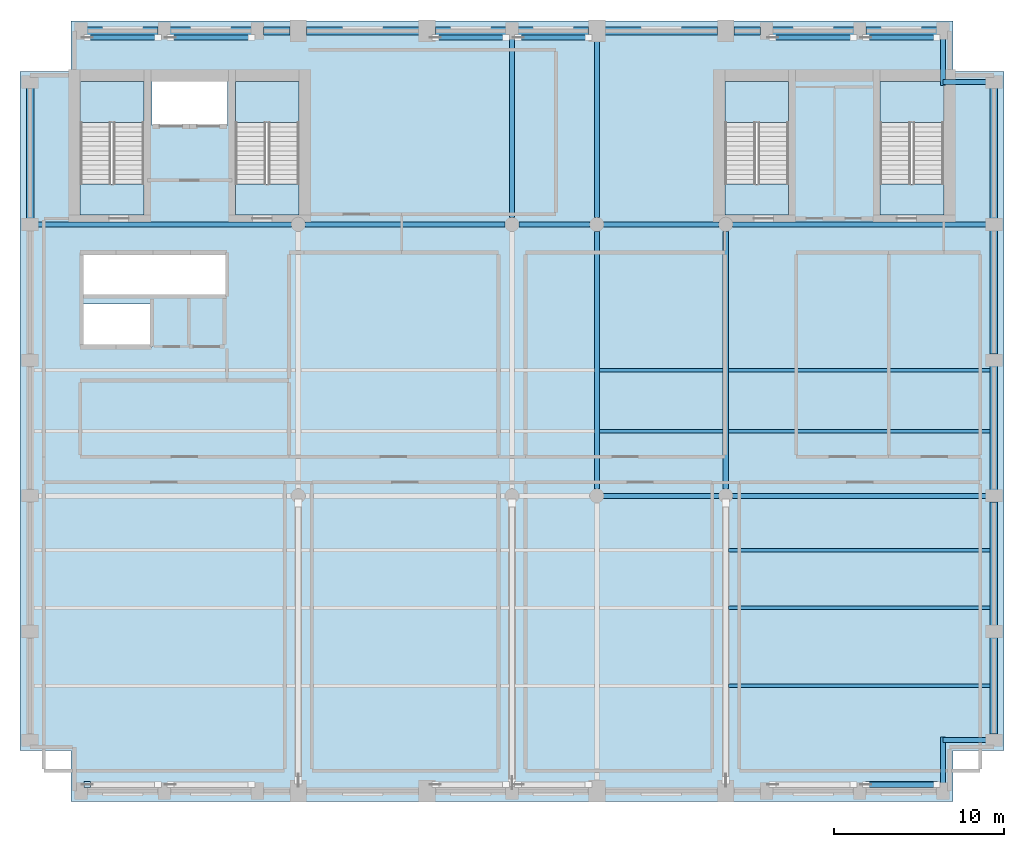
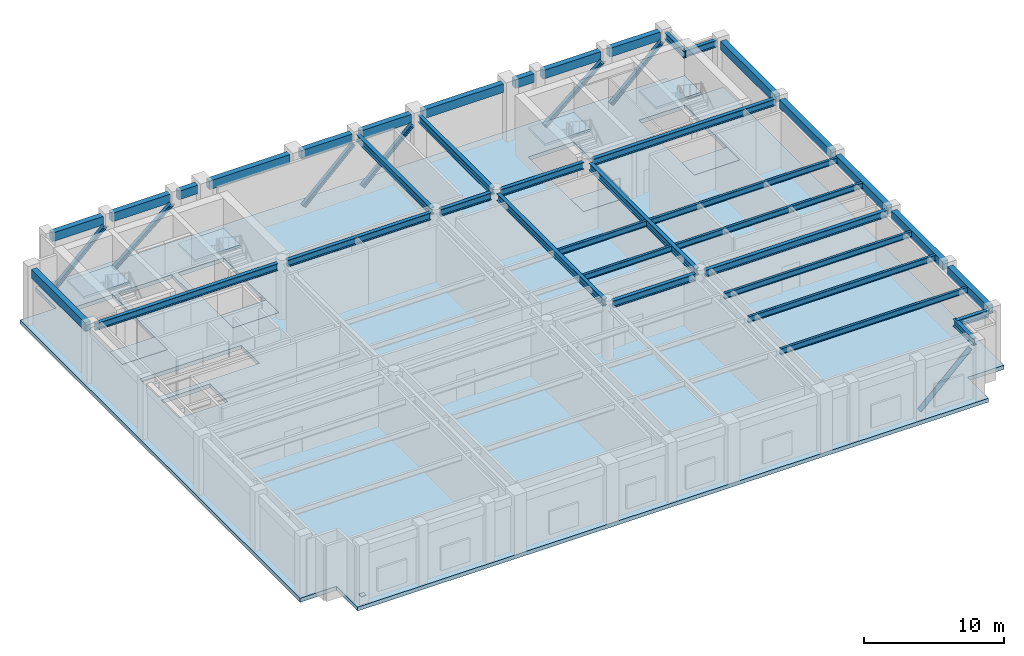
# One storey, part 2 of 11: 38 beams, 9 slabs, 7 members, 1 plate, 4 elements without a shape of their own.
"""IFC4 building model written with IfcOpenShell, lengths in metres."""

from ifc_helpers import new_model, si_unit, direction, frame, origin, origin_2d, place, context, subcontext, project, spatial, polyline, rectangle, hollow_circle, i_section, outline, extrude, material, layer, layer_set, material_profile, profile_set, type_object, element, aggregate, save


model = new_model("IFC4")

# Units and contexts
model_context = context("Model", 3, precision=1e-05, world=origin(), true_north=direction((0.0, 1.0)))
body_context = subcontext(model_context, "Body", "Model", "MODEL_VIEW")
ifc_project = project(units=[si_unit("LENGTHUNIT", "METRE"), si_unit("AREAUNIT", "SQUARE_METRE"), si_unit("VOLUMEUNIT", "CUBIC_METRE"), si_unit("PLANEANGLEUNIT", "RADIAN"), si_unit("MASSUNIT", "GRAM", prefix="KILO")], contexts=[model_context])

# Site, building, storey
site_placement = place(None, origin())
site = spatial("IfcSite", under=ifc_project, at=site_placement, CompositionType="ELEMENT")
building_placement = place(site_placement, origin())
building = spatial("IfcBuilding", under=site, at=building_placement, Name="Sulina Concourse Tower", CompositionType="ELEMENT")
storey_placement = place(building_placement, frame((0.0, 0.0, 238.60009765625)))
storey = spatial("IfcBuildingStorey", under=building, at=storey_placement, Name="L58", CompositionType="ELEMENT", Elevation=238.60009765625)

# Member
ifc_material_1 = material(Name="Steel S355", Category="steel")
ifc_material_profile_1 = material_profile(ifc_material_1, hollow_circle(Radius=0.177734375, WallThickness=0.01416015625, at=origin_2d()), Name="CHS 355.6x14.2")
ifc_profile_set_1 = profile_set([ifc_material_profile_1], Name="Steel S355")
member_type_1 = type_object("IfcMemberType", Name="Belt Truss Diagonal Brace CHS355.6x14.2", PredefinedType="BRACE", material=ifc_profile_set_1)
member_1_placement = place(storey_placement, frame((49.864990234375, 0.97998046875, 0.14990234375), z_axis=(0.724257921482, 0.0, 0.689529160493), x_axis=(0.0, 1.0, 0.0)))
element("IfcMember", 1, at=member_1_placement, inside=storey, type_object=member_type_1, Name="BLT-S6-L58", PredefinedType="BRACE", context=body_context, shape_type="SweptSolid", body=[
    extrude(hollow_circle(Radius=0.177734375, WallThickness=0.01416015625, at=origin_2d()), origin(), (0.0, 0.0, 1.0), 5.757568359375),
])

# Beams
ifc_material_2 = material(Name="Steel S355", Category="steel")
ifc_material_profile_2 = material_profile(ifc_material_2, i_section(OverallWidth=0.199951171875, OverallDepth=0.5, WebThickness=0.01025390625, FlangeThickness=0.01611328125, at=origin_2d()), Name="IPE 500")
ifc_profile_set_2 = profile_set([ifc_material_profile_2], Name="Steel S355")
beam_type_1 = type_object("IfcBeamType", Name="Composite Floor Joist IPE500", PredefinedType="JOIST", material=ifc_profile_set_2)
for number, where, z_axis, x_axis, name in (
    (2, (41.75, 6.800048828125, 4.60986328125), (1.0, 0.0, 0.0), (0.0, 1.0, 0.0), "FJ-J06-5-L58"),
    (3, (41.75, 11.39990234375, 4.60986328125), (1.0, 0.0, 0.0), (0.0, 1.0, 0.0), "FJ-J11-5-L58"),
    (4, (41.75, 14.800048828125, 4.60986328125), (1.0, 0.0, 0.0), (0.0, 1.0, 0.0), "FJ-J15-5-L58"),
):
    element("IfcBeam", number, at=place(storey_placement, frame(where, z_axis=z_axis, x_axis=x_axis)), inside=storey, type_object=beam_type_1, Name=name, PredefinedType="JOIST", context=body_context, shape_type="SweptSolid", body=[
        extrude(i_section(OverallWidth=0.199951171875, OverallDepth=0.5, WebThickness=0.01025390625, FlangeThickness=0.01611328125, at=origin_2d()), origin(), (0.0, 0.0, 1.0), 15.425048828125),
    ])
beam_1_placement = place(storey_placement, frame((34.14990234375, 21.800048828125, 4.60986328125), z_axis=(1.0, 0.0, 0.0), x_axis=(0.0, 1.0, 0.0)))
element("IfcBeam", 5, at=beam_1_placement, inside=storey, type_object=beam_type_1, Name="FJ-J22-4-L58", PredefinedType="JOIST", context=body_context, shape_type="SweptSolid", body=[
    extrude(i_section(OverallWidth=0.199951171875, OverallDepth=0.5, WebThickness=0.01025390625, FlangeThickness=0.01611328125, at=origin_2d()), origin(), (0.0, 0.0, 1.0), 7.300048828125),
])
beam_2_placement = place(storey_placement, frame((41.75, 21.800048828125, 4.60986328125), z_axis=(1.0, 0.0, 0.0), x_axis=(0.0, 1.0, 0.0)))
element("IfcBeam", 6, at=beam_2_placement, inside=storey, type_object=beam_type_1, Name="FJ-J22-5-L58", PredefinedType="JOIST", context=body_context, shape_type="SweptSolid", body=[
    extrude(i_section(OverallWidth=0.199951171875, OverallDepth=0.5, WebThickness=0.01025390625, FlangeThickness=0.01611328125, at=origin_2d()), origin(), (0.0, 0.0, 1.0), 15.425048828125),
])
beam_3_placement = place(storey_placement, frame((34.14990234375, 25.39990234375, 4.60986328125), z_axis=(1.0, 0.0, 0.0), x_axis=(0.0, 1.0, 0.0)))
element("IfcBeam", 7, at=beam_3_placement, inside=storey, type_object=beam_type_1, Name="FJ-J25-4-L58", PredefinedType="JOIST", context=body_context, shape_type="SweptSolid", body=[
    extrude(i_section(OverallWidth=0.199951171875, OverallDepth=0.5, WebThickness=0.01025390625, FlangeThickness=0.01611328125, at=origin_2d()), origin(), (0.0, 0.0, 1.0), 7.300048828125),
])
beam_4_placement = place(storey_placement, frame((41.75, 25.39990234375, 4.60986328125), z_axis=(1.0, 0.0, 0.0), x_axis=(0.0, 1.0, 0.0)))
element("IfcBeam", 8, at=beam_4_placement, inside=storey, type_object=beam_type_1, Name="FJ-J25-5-L58", PredefinedType="JOIST", context=body_context, shape_type="SweptSolid", body=[
    extrude(i_section(OverallWidth=0.199951171875, OverallDepth=0.5, WebThickness=0.01025390625, FlangeThickness=0.01611328125, at=origin_2d()), origin(), (0.0, 0.0, 1.0), 15.425048828125),
])
ifc_material_3 = material(Name="Steel S355", Category="steel")
ifc_material_profile_3 = material_profile(ifc_material_3, i_section(OverallWidth=0.300048828125, OverallDepth=0.60009765625, WebThickness=0.015380859375, FlangeThickness=0.030029296875, at=origin_2d()), Name="HE 600 B")
ifc_profile_set_3 = profile_set([ifc_material_profile_3], Name="Steel S355")
beam_type_2 = type_object("IfcBeamType", Name="Floor Primary Girder Zone 3 HE600B", PredefinedType="BEAM", material=ifc_profile_set_3)
for number, where, z_axis, x_axis, name in (
    (9, (54.39990234375, 3.60009765625, 4.559814453125), (1.0, 0.0, 0.0), (0.0, 1.0, 0.0), "TIE-SE-L58"),
    (10, (54.39990234375, 42.39990234375, 4.559814453125), (1.0, 0.0, 0.0), (0.0, 1.0, 0.0), "TIE-NE-L58"),
):
    element("IfcBeam", number, at=place(storey_placement, frame(where, z_axis=z_axis, x_axis=x_axis)), inside=storey, type_object=beam_type_2, Name=name, PredefinedType="BEAM", context=body_context, shape_type="SweptSolid", body=[
        extrude(i_section(OverallWidth=0.300048828125, OverallDepth=0.60009765625, WebThickness=0.015380859375, FlangeThickness=0.030029296875, at=origin_2d()), origin(), (0.0, 0.0, 1.0), 2.64501953125),
    ])
for number, where, z_axis, x_axis, name in (
    (11, (54.39990234375, 0.955078125, 4.559814453125), (0.0, 1.0, 0.0), (-1.0, 0.0, 0.0), "TIE-SES-L58"),
    (12, (54.39990234375, 42.199951171875, 4.559814453125), (0.0, 1.0, 0.0), (-1.0, 0.0, 0.0), "TIE-NEN-L58"),
):
    element("IfcBeam", number, at=place(storey_placement, frame(where, z_axis=z_axis, x_axis=x_axis)), inside=storey, type_object=beam_type_2, Name=name, PredefinedType="BEAM", context=body_context, shape_type="SweptSolid", body=[
        extrude(i_section(OverallWidth=0.300048828125, OverallDepth=0.60009765625, WebThickness=0.015380859375, FlangeThickness=0.030029296875, at=origin_2d()), origin(), (0.0, 0.0, 1.0), 2.844970703125),
    ])
beam_5_placement = place(storey_placement, frame((34.405029296875, 18.0, 4.559814453125), z_axis=(1.0, 0.0, 0.0), x_axis=(0.0, 1.0, 0.0)))
element("IfcBeam", 13, at=beam_5_placement, inside=storey, type_object=beam_type_2, Name="FG-EW4-L58", PredefinedType="BEAM", context=body_context, shape_type="SweptSolid", body=[
    extrude(i_section(OverallWidth=0.300048828125, OverallDepth=0.60009765625, WebThickness=0.015380859375, FlangeThickness=0.030029296875, at=origin_2d()), origin(), (0.0, 0.0, 1.0), 6.7900390625),
])
for number, where, z_axis, x_axis, name in (
    (14, (42.0048828125, 18.0, 4.559814453125), (1.0, 0.0, 0.0), (0.0, 1.0, 0.0), "FG-EW5-L58"),
    (15, (0.955078125, 34.0, 4.559814453125), (1.0, 0.0, 0.0), (0.0, 1.0, 0.0), "FG-EWN1-L58"),
):
    element("IfcBeam", number, at=place(storey_placement, frame(where, z_axis=z_axis, x_axis=x_axis)), inside=storey, type_object=beam_type_2, Name=name, PredefinedType="BEAM", context=body_context, shape_type="SweptSolid", body=[
        extrude(i_section(OverallWidth=0.300048828125, OverallDepth=0.60009765625, WebThickness=0.015380859375, FlangeThickness=0.030029296875, at=origin_2d()), origin(), (0.0, 0.0, 1.0), 15.0400390625),
    ])
beam_6_placement = place(storey_placement, frame((16.804931640625, 34.0, 4.559814453125), z_axis=(1.0, 0.0, 0.0), x_axis=(0.0, 1.0, 0.0)))
element("IfcBeam", 16, at=beam_6_placement, inside=storey, type_object=beam_type_2, Name="FG-EWN2-L58", PredefinedType="BEAM", context=body_context, shape_type="SweptSolid", body=[
    extrude(i_section(OverallWidth=0.300048828125, OverallDepth=0.60009765625, WebThickness=0.015380859375, FlangeThickness=0.030029296875, at=origin_2d()), origin(), (0.0, 0.0, 1.0), 11.7900390625),
])
beam_7_placement = place(storey_placement, frame((29.405029296875, 34.0, 4.559814453125), z_axis=(1.0, 0.0, 0.0), x_axis=(0.0, 1.0, 0.0)))
element("IfcBeam", 17, at=beam_7_placement, inside=storey, type_object=beam_type_2, Name="FG-EWN3-L58", PredefinedType="BEAM", context=body_context, shape_type="SweptSolid", body=[
    extrude(i_section(OverallWidth=0.300048828125, OverallDepth=0.60009765625, WebThickness=0.015380859375, FlangeThickness=0.030029296875, at=origin_2d()), origin(), (0.0, 0.0, 1.0), 4.18994140625),
])
beam_8_placement = place(storey_placement, frame((34.405029296875, 34.0, 4.559814453125), z_axis=(1.0, 0.0, 0.0), x_axis=(0.0, 1.0, 0.0)))
element("IfcBeam", 18, at=beam_8_placement, inside=storey, type_object=beam_type_2, Name="FG-EWN4-L58", PredefinedType="BEAM", context=body_context, shape_type="SweptSolid", body=[
    extrude(i_section(OverallWidth=0.300048828125, OverallDepth=0.60009765625, WebThickness=0.015380859375, FlangeThickness=0.030029296875, at=origin_2d()), origin(), (0.0, 0.0, 1.0), 6.7900390625),
])
beam_9_placement = place(storey_placement, frame((42.0048828125, 34.0, 4.559814453125), z_axis=(1.0, 0.0, 0.0), x_axis=(0.0, 1.0, 0.0)))
element("IfcBeam", 19, at=beam_9_placement, inside=storey, type_object=beam_type_2, Name="FG-EWN5-L58", PredefinedType="BEAM", context=body_context, shape_type="SweptSolid", body=[
    extrude(i_section(OverallWidth=0.300048828125, OverallDepth=0.60009765625, WebThickness=0.015380859375, FlangeThickness=0.030029296875, at=origin_2d()), origin(), (0.0, 0.0, 1.0), 15.0400390625),
])
beam_10_placement = place(storey_placement, frame((29.0, 34.405029296875, 4.559814453125), z_axis=(0.0, 1.0, 0.0), x_axis=(-1.0, 0.0, 0.0)))
element("IfcBeam", 20, at=beam_10_placement, inside=storey, type_object=beam_type_2, Name="FG-NSC-29-L58", PredefinedType="BEAM", context=body_context, shape_type="SweptSolid", body=[
    extrude(i_section(OverallWidth=0.300048828125, OverallDepth=0.60009765625, WebThickness=0.015380859375, FlangeThickness=0.030029296875, at=origin_2d()), origin(), (0.0, 0.0, 1.0), 10.639892578125),
])
beam_11_placement = place(storey_placement, frame((34.0, 18.405029296875, 4.559814453125), z_axis=(0.0, 1.0, 0.0), x_axis=(-1.0, 0.0, 0.0)))
element("IfcBeam", 21, at=beam_11_placement, inside=storey, type_object=beam_type_2, Name="FG-NSB-34-L58", PredefinedType="BEAM", context=body_context, shape_type="SweptSolid", body=[
    extrude(i_section(OverallWidth=0.300048828125, OverallDepth=0.60009765625, WebThickness=0.015380859375, FlangeThickness=0.030029296875, at=origin_2d()), origin(), (0.0, 0.0, 1.0), 15.18994140625),
])
beam_12_placement = place(storey_placement, frame((34.0, 34.405029296875, 4.559814453125), z_axis=(0.0, 1.0, 0.0), x_axis=(-1.0, 0.0, 0.0)))
element("IfcBeam", 22, at=beam_12_placement, inside=storey, type_object=beam_type_2, Name="FG-NSC-34-L58", PredefinedType="BEAM", context=body_context, shape_type="SweptSolid", body=[
    extrude(i_section(OverallWidth=0.300048828125, OverallDepth=0.60009765625, WebThickness=0.015380859375, FlangeThickness=0.030029296875, at=origin_2d()), origin(), (0.0, 0.0, 1.0), 10.514892578125),
])
beam_13_placement = place(storey_placement, frame((41.60009765625, 18.405029296875, 4.559814453125), z_axis=(0.0, 1.0, 0.0), x_axis=(-1.0, 0.0, 0.0)))
element("IfcBeam", 23, at=beam_13_placement, inside=storey, type_object=beam_type_2, Name="FG-NSB-41-L58", PredefinedType="BEAM", context=body_context, shape_type="SweptSolid", body=[
    extrude(i_section(OverallWidth=0.300048828125, OverallDepth=0.60009765625, WebThickness=0.015380859375, FlangeThickness=0.030029296875, at=origin_2d()), origin(), (0.0, 0.0, 1.0), 15.18994140625),
])

# Members
ifc_material_4 = material(Name="Steel S355", Category="steel")
ifc_material_profile_4 = material_profile(ifc_material_4, i_section(OverallWidth=0.300048828125, OverallDepth=0.320068359375, WebThickness=0.011474609375, FlangeThickness=0.0205078125, at=origin_2d()), Name="HE 320 B")
ifc_profile_set_4 = profile_set([ifc_material_profile_4], Name="Steel S355")
member_type_2 = type_object("IfcMemberType", Name="Plant Belt Brace HE320B", PredefinedType="BRACE", material=ifc_profile_set_4)
member_2_placement = place(storey_placement, frame((3.965087890625, 45.02001953125, 0.14990234375), z_axis=(0.724257921482, 0.0, 0.689529160493), x_axis=(0.0, 1.0, 0.0)))
element("IfcMember", 24, at=member_2_placement, inside=storey, type_object=member_type_2, Name="BLT-N1-L58", PredefinedType="BRACE", context=body_context, shape_type="SweptSolid", body=[
    extrude(i_section(OverallWidth=0.300048828125, OverallDepth=0.320068359375, WebThickness=0.011474609375, FlangeThickness=0.0205078125, at=origin_2d()), origin(), (0.0, 0.0, 1.0), 5.757568359375),
])
member_3_placement = place(storey_placement, frame((8.864990234375, 45.02001953125, 0.14990234375), z_axis=(0.768620976884, 0.0, 0.639704458241), x_axis=(0.0, 1.0, 0.0)))
element("IfcMember", 25, at=member_3_placement, inside=storey, type_object=member_type_2, Name="BLT-N2-L58", PredefinedType="BRACE", context=body_context, shape_type="SweptSolid", body=[
    extrude(i_section(OverallWidth=0.300048828125, OverallDepth=0.320068359375, WebThickness=0.011474609375, FlangeThickness=0.0205078125, at=origin_2d()), origin(), (0.0, 0.0, 1.0), 6.2060546875),
])
for number, where, z_axis, x_axis, name in (
    (26, (24.489990234375, 45.02001953125, 0.14990234375), (0.722191812128, 0.0, 0.691692841148), (0.0, 1.0, 0.0), "BLT-N3-L58"),
    (27, (29.364990234375, 45.02001953125, 0.14990234375), (0.722191812128, 0.0, 0.691692841148), (0.0, 1.0, 0.0), "BLT-N4-L58"),
):
    element("IfcMember", number, at=place(storey_placement, frame(where, z_axis=z_axis, x_axis=x_axis)), inside=storey, type_object=member_type_2, Name=name, PredefinedType="BRACE", context=body_context, shape_type="SweptSolid", body=[
        extrude(i_section(OverallWidth=0.300048828125, OverallDepth=0.320068359375, WebThickness=0.011474609375, FlangeThickness=0.0205078125, at=origin_2d()), origin(), (0.0, 0.0, 1.0), 5.739501953125),
    ])
member_4_placement = place(storey_placement, frame((44.364990234375, 45.02001953125, 0.14990234375), z_axis=(0.768620976884, 0.0, 0.639704458241), x_axis=(0.0, 1.0, 0.0)))
element("IfcMember", 28, at=member_4_placement, inside=storey, type_object=member_type_2, Name="BLT-N5-L58", PredefinedType="BRACE", context=body_context, shape_type="SweptSolid", body=[
    extrude(i_section(OverallWidth=0.300048828125, OverallDepth=0.320068359375, WebThickness=0.011474609375, FlangeThickness=0.0205078125, at=origin_2d()), origin(), (0.0, 0.0, 1.0), 6.2060546875),
])
member_5_placement = place(storey_placement, frame((49.864990234375, 45.02001953125, 0.14990234375), z_axis=(0.724257921482, 0.0, 0.689529160493), x_axis=(0.0, 1.0, 0.0)))
element("IfcMember", 29, at=member_5_placement, inside=storey, type_object=member_type_2, Name="BLT-N6-L58", PredefinedType="BRACE", context=body_context, shape_type="SweptSolid", body=[
    extrude(i_section(OverallWidth=0.300048828125, OverallDepth=0.320068359375, WebThickness=0.011474609375, FlangeThickness=0.0205078125, at=origin_2d()), origin(), (0.0, 0.0, 1.0), 5.757568359375),
])

# Beams
ifc_material_5 = material(Name="Precast concrete C50/60", Category="concrete")
ifc_material_profile_5 = material_profile(ifc_material_5, rectangle(XDim=0.449951171875, YDim=0.75, at=origin_2d()), Name="RC 450x750")
ifc_profile_set_5 = profile_set([ifc_material_profile_5], Name="Precast concrete C50/60")
beam_type_3 = type_object("IfcBeamType", Name="Upper Precast Spandrel Edge Beam 450x750", PredefinedType="BEAM", material=ifc_profile_set_5)
beam_14_placement = place(storey_placement, frame((3.955078125, 45.39990234375, 4.48486328125), z_axis=(1.0, 0.0, 0.0), x_axis=(0.0, 1.0, 0.0)))
element("IfcBeam", 30, at=beam_14_placement, inside=storey, type_object=beam_type_3, Name="SP-N1-L58", PredefinedType="BEAM", context=body_context, shape_type="SweptSolid", body=[
    extrude(rectangle(XDim=0.449951171875, YDim=0.75, at=origin_2d()), origin(), (0.0, 0.0, 1.0), 4.18994140625),
])
beam_15_placement = place(storey_placement, frame((8.85498046875, 45.39990234375, 4.48486328125), z_axis=(1.0, 0.0, 0.0), x_axis=(0.0, 1.0, 0.0)))
element("IfcBeam", 31, at=beam_15_placement, inside=storey, type_object=beam_type_3, Name="SP-N2-L58", PredefinedType="BEAM", context=body_context, shape_type="SweptSolid", body=[
    extrude(rectangle(XDim=0.449951171875, YDim=0.75, at=origin_2d()), origin(), (0.0, 0.0, 1.0), 4.7900390625),
])
beam_16_placement = place(storey_placement, frame((14.35498046875, 45.39990234375, 4.48486328125), z_axis=(1.0, 0.0, 0.0), x_axis=(0.0, 1.0, 0.0)))
element("IfcBeam", 32, at=beam_16_placement, inside=storey, type_object=beam_type_3, Name="SP-N3-L58", PredefinedType="BEAM", context=body_context, shape_type="SweptSolid", body=[
    extrude(rectangle(XDim=0.449951171875, YDim=0.75, at=origin_2d()), origin(), (0.0, 0.0, 1.0), 1.56494140625),
])
beam_17_placement = place(storey_placement, frame((16.8798828125, 45.39990234375, 4.48486328125), z_axis=(1.0, 0.0, 0.0), x_axis=(0.0, 1.0, 0.0)))
element("IfcBeam", 33, at=beam_17_placement, inside=storey, type_object=beam_type_3, Name="SP-N4-L58", PredefinedType="BEAM", context=body_context, shape_type="SweptSolid", body=[
    extrude(rectangle(XDim=0.449951171875, YDim=0.75, at=origin_2d()), origin(), (0.0, 0.0, 1.0), 6.64013671875),
])
for number, where, z_axis, x_axis, name in (
    (34, (24.47998046875, 45.39990234375, 4.48486328125), (1.0, 0.0, 0.0), (0.0, 1.0, 0.0), "SP-N5-L58"),
    (35, (29.35498046875, 45.39990234375, 4.48486328125), (1.0, 0.0, 0.0), (0.0, 1.0, 0.0), "SP-N6-L58"),
):
    element("IfcBeam", number, at=place(storey_placement, frame(where, z_axis=z_axis, x_axis=x_axis)), inside=storey, type_object=beam_type_3, Name=name, PredefinedType="BEAM", context=body_context, shape_type="SweptSolid", body=[
        extrude(rectangle(XDim=0.449951171875, YDim=0.75, at=origin_2d()), origin(), (0.0, 0.0, 1.0), 4.1650390625),
    ])
beam_18_placement = place(storey_placement, frame((34.47998046875, 45.39990234375, 4.48486328125), z_axis=(1.0, 0.0, 0.0), x_axis=(0.0, 1.0, 0.0)))
element("IfcBeam", 36, at=beam_18_placement, inside=storey, type_object=beam_type_3, Name="SP-N7-L58", PredefinedType="BEAM", context=body_context, shape_type="SweptSolid", body=[
    extrude(rectangle(XDim=0.449951171875, YDim=0.75, at=origin_2d()), origin(), (0.0, 0.0, 1.0), 6.64013671875),
])
beam_19_placement = place(storey_placement, frame((42.080078125, 45.39990234375, 4.48486328125), z_axis=(1.0, 0.0, 0.0), x_axis=(0.0, 1.0, 0.0)))
element("IfcBeam", 37, at=beam_19_placement, inside=storey, type_object=beam_type_3, Name="SP-N8-L58", PredefinedType="BEAM", context=body_context, shape_type="SweptSolid", body=[
    extrude(rectangle(XDim=0.449951171875, YDim=0.75, at=origin_2d()), origin(), (0.0, 0.0, 1.0), 1.56494140625),
])
beam_20_placement = place(storey_placement, frame((44.35498046875, 45.39990234375, 4.48486328125), z_axis=(1.0, 0.0, 0.0), x_axis=(0.0, 1.0, 0.0)))
element("IfcBeam", 38, at=beam_20_placement, inside=storey, type_object=beam_type_3, Name="SP-N9-L58", PredefinedType="BEAM", context=body_context, shape_type="SweptSolid", body=[
    extrude(rectangle(XDim=0.449951171875, YDim=0.75, at=origin_2d()), origin(), (0.0, 0.0, 1.0), 4.7900390625),
])
beam_21_placement = place(storey_placement, frame((49.85498046875, 45.39990234375, 4.48486328125), z_axis=(1.0, 0.0, 0.0), x_axis=(0.0, 1.0, 0.0)))
element("IfcBeam", 39, at=beam_21_placement, inside=storey, type_object=beam_type_3, Name="SP-N10-L58", PredefinedType="BEAM", context=body_context, shape_type="SweptSolid", body=[
    extrude(rectangle(XDim=0.449951171875, YDim=0.75, at=origin_2d()), origin(), (0.0, 0.0, 1.0), 4.18994140625),
])
beam_22_placement = place(storey_placement, frame((0.60009765625, 34.35498046875, 4.48486328125), z_axis=(0.0, 1.0, 0.0), x_axis=(-1.0, 0.0, 0.0)))
element("IfcBeam", 40, at=beam_22_placement, inside=storey, type_object=beam_type_3, Name="SP-W5-L58", PredefinedType="BEAM", context=body_context, shape_type="SweptSolid", body=[
    extrude(rectangle(XDim=0.449951171875, YDim=0.75, at=origin_2d()), origin(), (0.0, 0.0, 1.0), 7.68994140625),
])
beam_23_placement = place(storey_placement, frame((57.39990234375, 3.955078125, 4.48486328125), z_axis=(0.0, 1.0, 0.0), x_axis=(-1.0, 0.0, 0.0)))
element("IfcBeam", 41, at=beam_23_placement, inside=storey, type_object=beam_type_3, Name="SP-E1-L58", PredefinedType="BEAM", context=body_context, shape_type="SweptSolid", body=[
    extrude(rectangle(XDim=0.449951171875, YDim=0.75, at=origin_2d()), origin(), (0.0, 0.0, 1.0), 5.68994140625),
])
for number, where, z_axis, x_axis, name in (
    (42, (57.39990234375, 10.35498046875, 4.48486328125), (0.0, 1.0, 0.0), (-1.0, 0.0, 0.0), "SP-E2-L58"),
    (43, (57.39990234375, 18.35498046875, 4.48486328125), (0.0, 1.0, 0.0), (-1.0, 0.0, 0.0), "SP-E3-L58"),
    (44, (57.39990234375, 26.35498046875, 4.48486328125), (0.0, 1.0, 0.0), (-1.0, 0.0, 0.0), "SP-E4-L58"),
):
    element("IfcBeam", number, at=place(storey_placement, frame(where, z_axis=z_axis, x_axis=x_axis)), inside=storey, type_object=beam_type_3, Name=name, PredefinedType="BEAM", context=body_context, shape_type="SweptSolid", body=[
        extrude(rectangle(XDim=0.449951171875, YDim=0.75, at=origin_2d()), origin(), (0.0, 0.0, 1.0), 7.2900390625),
    ])
beam_24_placement = place(storey_placement, frame((57.39990234375, 34.35498046875, 4.48486328125), z_axis=(0.0, 1.0, 0.0), x_axis=(-1.0, 0.0, 0.0)))
element("IfcBeam", 45, at=beam_24_placement, inside=storey, type_object=beam_type_3, Name="SP-E5-L58", PredefinedType="BEAM", context=body_context, shape_type="SweptSolid", body=[
    extrude(rectangle(XDim=0.449951171875, YDim=0.75, at=origin_2d()), origin(), (0.0, 0.0, 1.0), 7.68994140625),
])

# Slabs
ifc_material_6 = material(Name="Concrete C60/75", Category="concrete")
ifc_layer_1 = layer(ifc_material_6, 0.340087890625)
ifc_layer_set_1 = layer_set([ifc_layer_1], Name="Concrete C60/75")
slab_type_1 = type_object("IfcSlabType", Name="Mechanical Plant & Sky-Lobby Slab 340mm", PredefinedType="FLOOR", material=ifc_layer_set_1)
slab_1_placement = place(storey_placement, frame((0.0, 0.0, -0.340087890625)))
element("IfcSlab", 46, at=slab_1_placement, inside=storey, type_object=slab_type_1, Name="L58 structural floor slab", PredefinedType="FLOOR", context=body_context, shape_type="SweptSolid", body=[
    extrude(outline(polyline([(3.0, 0.0), (55.0, 0.0), (55.0, 3.0), (58.0, 3.0), (58.0, 43.0), (55.0, 43.0), (55.0, 46.0), (3.0, 46.0), (3.0, 43.0), (0.0, 43.0), (0.0, 3.0), (3.0, 3.0), (3.0, 0.0)]), holes=[polyline([(7.31005859375, 34.550048828125), (7.31005859375, 42.429931640625), (3.550048828125, 42.429931640625), (3.550048828125, 34.550048828125), (7.31005859375, 34.550048828125)]), polyline([(16.449951171875, 34.550048828125), (16.449951171875, 42.429931640625), (12.68994140625, 42.429931640625), (12.68994140625, 34.550048828125), (16.449951171875, 34.550048828125)]), polyline([(45.31005859375, 34.550048828125), (45.31005859375, 42.429931640625), (41.550048828125, 42.429931640625), (41.550048828125, 34.550048828125), (45.31005859375, 34.550048828125)]), polyline([(54.449951171875, 34.550048828125), (54.449951171875, 42.429931640625), (50.68994140625, 42.429931640625), (50.68994140625, 34.550048828125), (54.449951171875, 34.550048828125)]), polyline([(7.780029296875, 39.830078125), (12.219970703125, 39.830078125), (12.219970703125, 42.449951171875), (7.780029296875, 42.449951171875), (7.780029296875, 39.830078125)]), polyline([(3.739990234375, 26.780029296875), (7.77001953125, 26.780029296875), (7.77001953125, 29.320068359375), (3.739990234375, 29.320068359375), (3.739990234375, 26.780029296875)]), polyline([(3.739990234375, 29.780029296875), (12.10009765625, 29.780029296875), (12.10009765625, 32.3701171875), (3.739990234375, 32.3701171875), (3.739990234375, 29.780029296875)])]), origin(), (0.0, 0.0, 1.0), 0.340087890625),
])
ifc_material_7 = material(Name="Concrete C50/60", Category="concrete")
ifc_layer_2 = layer(ifc_material_7, 0.199951171875)
ifc_layer_set_2 = layer_set([ifc_layer_2], Name="Concrete C50/60")
slab_type_2 = type_object("IfcSlabType", Name="Primary Core Stair Landing Slab 200mm", PredefinedType="LANDING", material=ifc_layer_set_2)
slab_2_placement = place(storey_placement, frame((0.0, 0.0, -0.2001953125)))
element("IfcSlab", 47, at=slab_2_placement, inside=storey, type_object=slab_type_2, Name="L58 ST-1 floor landing slab", PredefinedType="LANDING", context=body_context, shape_type="SweptSolid", body=[
    extrude(outline(polyline([(7.31005859375, 34.550048828125), (7.31005859375, 36.375), (3.550048828125, 36.375), (3.550048828125, 34.550048828125), (7.31005859375, 34.550048828125)])), origin(), (0.0, 0.0, 1.0), 0.2001953125),
])
slab_3_placement = place(storey_placement, frame((0.0, 0.0, -0.2001953125)))
element("IfcSlab", 48, at=slab_3_placement, inside=storey, type_object=slab_type_2, Name="L58 ST-2 floor landing slab", PredefinedType="LANDING", context=body_context, shape_type="SweptSolid", body=[
    extrude(outline(polyline([(16.449951171875, 34.550048828125), (16.449951171875, 36.375), (12.68994140625, 36.375), (12.68994140625, 34.550048828125), (16.449951171875, 34.550048828125)])), origin(), (0.0, 0.0, 1.0), 0.2001953125),
])
slab_4_placement = place(storey_placement, frame((0.0, 0.0, -0.2001953125)))
element("IfcSlab", 49, at=slab_4_placement, inside=storey, type_object=slab_type_2, Name="L58 ST-3 floor landing slab", PredefinedType="LANDING", context=body_context, shape_type="SweptSolid", body=[
    extrude(outline(polyline([(45.31005859375, 34.550048828125), (45.31005859375, 36.375), (41.550048828125, 36.375), (41.550048828125, 34.550048828125), (45.31005859375, 34.550048828125)])), origin(), (0.0, 0.0, 1.0), 0.2001953125),
])
slab_5_placement = place(storey_placement, frame((0.0, 0.0, -0.2001953125)))
element("IfcSlab", 50, at=slab_5_placement, inside=storey, type_object=slab_type_2, Name="L58 ST-4 floor landing slab", PredefinedType="LANDING", context=body_context, shape_type="SweptSolid", body=[
    extrude(outline(polyline([(54.449951171875, 34.550048828125), (54.449951171875, 36.375), (50.68994140625, 36.375), (50.68994140625, 34.550048828125), (54.449951171875, 34.550048828125)])), origin(), (0.0, 0.0, 1.0), 0.2001953125),
])

# Stair, slab
ifc_material_8 = material(Name="Concrete C50/60", Category="concrete")
stair_type_1 = type_object("IfcStairType", Name="Primary Core Dog-Leg Exit Stair 1800mm", PredefinedType="HALF_TURN_STAIR", material=ifc_material_8)
stair_1_placement = place(storey_placement, origin())
stair_1 = element("IfcStair", 51, at=stair_1_placement, inside=storey, type_object=stair_type_1, Name="L58 ST-1", PredefinedType="HALF_TURN_STAIR")
slab_6_placement = place(storey_placement, frame((0.0, 0.0, 2.39990234375)))
slab_6 = element("IfcSlab", 52, at=slab_6_placement, type_object=slab_type_2, Name="ST-1 landing 1", PredefinedType="LANDING", context=body_context, shape_type="SweptSolid", body=[
    extrude(outline(polyline([(7.304931640625, 40.014892578125), (7.304931640625, 42.425048828125), (3.554931640625, 42.425048828125), (3.554931640625, 40.014892578125), (7.304931640625, 40.014892578125)])), origin(), (0.0, 0.0, 1.0), 0.199951171875),
])
aggregate(stair_1, [slab_6])

stair_2_placement = place(storey_placement, origin())
stair_2 = element("IfcStair", 53, at=stair_2_placement, inside=storey, type_object=stair_type_1, Name="L58 ST-2", PredefinedType="HALF_TURN_STAIR")
slab_7_placement = place(storey_placement, frame((0.0, 0.0, 2.39990234375)))
slab_7 = element("IfcSlab", 54, at=slab_7_placement, type_object=slab_type_2, Name="ST-2 landing 1", PredefinedType="LANDING", context=body_context, shape_type="SweptSolid", body=[
    extrude(outline(polyline([(16.445068359375, 40.014892578125), (16.445068359375, 42.425048828125), (12.695068359375, 42.425048828125), (12.695068359375, 40.014892578125), (16.445068359375, 40.014892578125)])), origin(), (0.0, 0.0, 1.0), 0.199951171875),
])
aggregate(stair_2, [slab_7])

ifc_material_9 = material(Name="Concrete C50/60", Category="concrete")
stair_type_2 = type_object("IfcStairType", Name="Portal & Podium Core Exit Stair 1820mm", PredefinedType="HALF_TURN_STAIR", material=ifc_material_9)
stair_3_placement = place(storey_placement, origin())
stair_3 = element("IfcStair", 55, at=stair_3_placement, inside=storey, type_object=stair_type_2, Name="L58 ST-3", PredefinedType="HALF_TURN_STAIR")
slab_8_placement = place(storey_placement, frame((0.0, 0.0, 2.39990234375)))
slab_8 = element("IfcSlab", 56, at=slab_8_placement, type_object=slab_type_2, Name="ST-3 landing 1", PredefinedType="LANDING", context=body_context, shape_type="SweptSolid", body=[
    extrude(outline(polyline([(45.304931640625, 40.014892578125), (45.304931640625, 42.425048828125), (41.554931640625, 42.425048828125), (41.554931640625, 40.014892578125), (45.304931640625, 40.014892578125)])), origin(), (0.0, 0.0, 1.0), 0.199951171875),
])
aggregate(stair_3, [slab_8])

stair_4_placement = place(storey_placement, origin())
stair_4 = element("IfcStair", 57, at=stair_4_placement, inside=storey, type_object=stair_type_2, Name="L58 ST-4", PredefinedType="HALF_TURN_STAIR")
slab_9_placement = place(storey_placement, frame((0.0, 0.0, 2.39990234375)))
slab_9 = element("IfcSlab", 58, at=slab_9_placement, type_object=slab_type_2, Name="ST-4 landing 1", PredefinedType="LANDING", context=body_context, shape_type="SweptSolid", body=[
    extrude(outline(polyline([(54.445068359375, 40.014892578125), (54.445068359375, 42.425048828125), (50.695068359375, 42.425048828125), (50.695068359375, 40.014892578125), (54.445068359375, 40.014892578125)])), origin(), (0.0, 0.0, 1.0), 0.199951171875),
])
aggregate(stair_4, [slab_9])

# Plate
ifc_material_10 = material(Name="Steel S355", Category="steel")
ifc_layer_3 = layer(ifc_material_10, 0.02001953125)
ifc_layer_set_3 = layer_set([ifc_layer_3], Name="Steel S355")
plate_type = type_object("IfcPlateType", Name="Upper Hollow Brace End-Cap Plate 20mm", PredefinedType="USERDEFINED", material=ifc_layer_set_3)
plate_placement = place(storey_placement, frame((3.965087890625, 0.97998046875, 0.139892578125), z_axis=(0.0, 0.0, 1.0), x_axis=(1.0, 0.0, 0.0)))
element("IfcPlate", 59, at=plate_placement, inside=storey, type_object=plate_type, Name="BLT-S1-L58 end cap plate 1", ObjectType="CAP_PLATE", PredefinedType="USERDEFINED", context=body_context, shape_type="SweptSolid", body=[
    extrude(rectangle(XDim=0.409912109375, YDim=0.360107421875, at=origin_2d()), origin(), (0.0, 0.0, 1.0), 0.02001953125),
])

save(model, "model.ifc")
